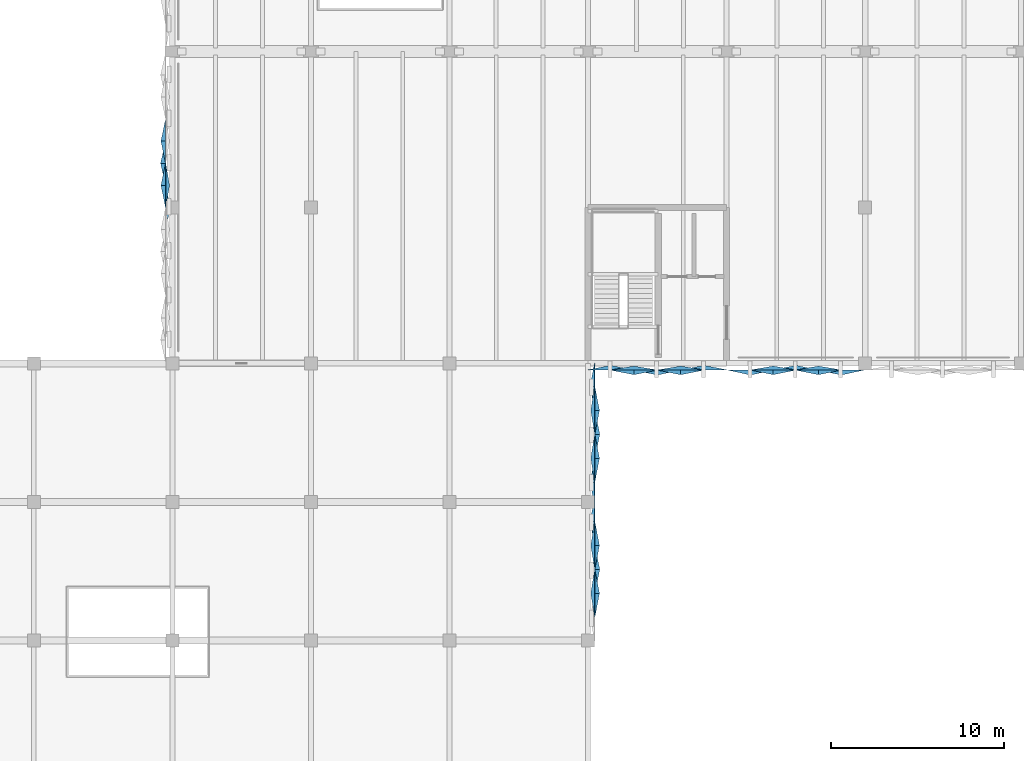
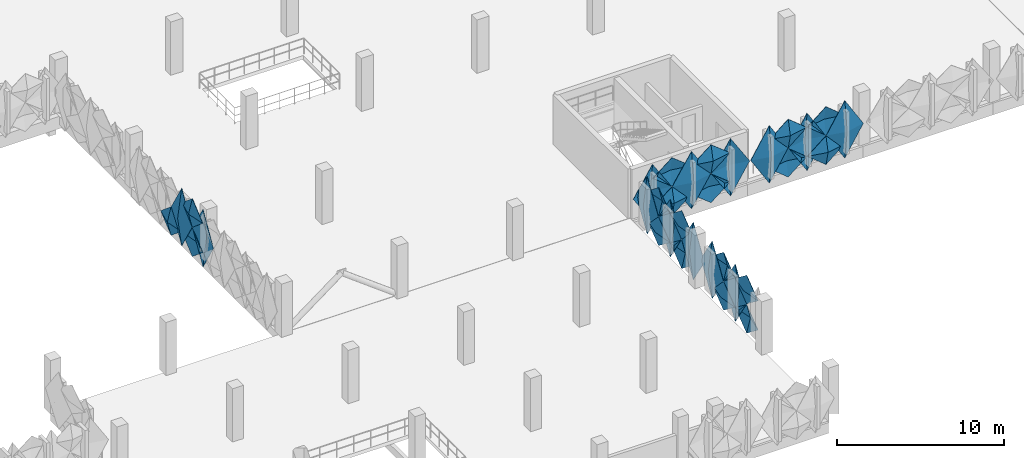
# One storey, part 54 of 83: 32 plates.
"""IFC4 building model written with IfcOpenShell, lengths in metres."""

from ifc_helpers import new_model, si_unit, derived_unit, direction, frame, origin, place, context, subcontext, project, spatial, polygons, material, layer, layer_set, type_object, element, save


model = new_model("IFC4")

# Units and contexts
model_context = context("Model", 3, precision=1e-05, world=origin(), true_north=direction((0.0, 1.0)))
body_context = subcontext(model_context, "Body", "Model", "MODEL_VIEW")
ifc_project = project(units=[si_unit("LENGTHUNIT", "METRE"), si_unit("AREAUNIT", "SQUARE_METRE"), si_unit("VOLUMEUNIT", "CUBIC_METRE"), si_unit("PLANEANGLEUNIT", "RADIAN"), si_unit("MASSUNIT", "GRAM", prefix="KILO"), si_unit("THERMODYNAMICTEMPERATUREUNIT", "KELVIN"), derived_unit("THERMALTRANSMITTANCEUNIT", [(si_unit("POWERUNIT", "WATT"), 1), (si_unit("AREAUNIT", "SQUARE_METRE"), -1), (si_unit("THERMODYNAMICTEMPERATUREUNIT", "KELVIN"), -1)])], contexts=[model_context])

# Site, building, storey
site_placement = place(None, origin())
site = spatial("IfcSite", under=ifc_project, at=site_placement, CompositionType="ELEMENT")
building_placement = place(site_placement, origin())
building = spatial("IfcBuilding", under=site, at=building_placement, Name="Haiyu Intermodal Mobility Hub", CompositionType="ELEMENT")
storey_placement = place(building_placement, frame((0.0, 0.0, 13.39990234375)))
storey = spatial("IfcBuildingStorey", under=building, at=storey_placement, Name="L03", CompositionType="ELEMENT", Elevation=13.39990234375)

# Plates
ifc_material = material(Name="Anodised aluminium 6063-T6", Category="aluminium")
ifc_layer_1 = layer(ifc_material, 0.01806640625)
ifc_layer_set_1 = layer_set([ifc_layer_1], Name="Anodised aluminium 6063-T6")
plate_type_1 = type_object("IfcPlateType", Name="PLT-FC01", PredefinedType="USERDEFINED", material=ifc_layer_set_1)
plate_1_placement = place(storey_placement, origin())
element("IfcPlate", 1, at=plate_1_placement, inside=storey, type_object=plate_type_1, Name="PLT-PYR-0567", ObjectType="FACADE CASSETTE", PredefinedType="USERDEFINED", context=body_context, shape_type="Tessellation", body=[
    polygons([(37.60009765625, 114.27392578125, 1.6201171875), (37.60009765625, 113.02001953125, 2.670166015625), (37.60009765625, 114.27392578125, 3.72021484375), (37.60009765625, 115.529052734375, 2.670166015625), (37.340087890625, 114.27392578125, 2.670166015625), (37.6220703125, 114.27392578125, 1.6201171875), (37.6220703125, 113.02001953125, 2.670166015625), (37.6220703125, 114.27392578125, 3.72021484375), (37.6220703125, 115.529052734375, 2.670166015625), (37.362060546875, 114.27392578125, 2.670166015625)], [[[1, 2, 5]], [[2, 3, 5]], [[3, 4, 5]], [[4, 1, 5]], [[7, 6, 10]], [[8, 7, 10]], [[9, 8, 10]], [[6, 9, 10]], [[1, 6, 7, 2]], [[2, 7, 8, 3]], [[3, 8, 9, 4]], [[4, 9, 6, 1]]], closed=True),
])
plate_2_placement = place(storey_placement, origin())
element("IfcPlate", 2, at=plate_2_placement, inside=storey, type_object=plate_type_1, Name="PLT-PYR-0763", ObjectType="FACADE CASSETTE", PredefinedType="USERDEFINED", context=body_context, shape_type="Tessellation", body=[
    polygons([(72.693115234375, 103.60009765625, 1.6201171875), (73.97998046875, 103.60009765625, 2.670166015625), (72.693115234375, 103.60009765625, 3.72021484375), (71.406982421875, 103.60009765625, 2.670166015625), (72.693115234375, 103.340087890625, 2.670166015625), (72.693115234375, 103.6220703125, 1.6201171875), (73.97998046875, 103.6220703125, 2.670166015625), (72.693115234375, 103.6220703125, 3.72021484375), (71.406982421875, 103.6220703125, 2.670166015625), (72.693115234375, 103.362060546875, 2.670166015625)], [[[1, 2, 5]], [[2, 3, 5]], [[3, 4, 5]], [[4, 1, 5]], [[7, 6, 10]], [[8, 7, 10]], [[9, 8, 10]], [[6, 9, 10]], [[1, 6, 7, 2]], [[2, 7, 8, 3]], [[3, 8, 9, 4]], [[4, 9, 6, 1]]], closed=True),
])
plate_3_placement = place(storey_placement, origin())
element("IfcPlate", 3, at=plate_3_placement, inside=storey, type_object=plate_type_1, Name="PLT-PYR-2066", ObjectType="FACADE CASSETTE", PredefinedType="USERDEFINED", context=body_context, shape_type="Tessellation", body=[
    polygons([(62.39990234375, 92.10009765625, -0.510009765625), (62.39990234375, 93.462890625, 1.60009765625), (62.39990234375, 92.10009765625, 3.710205078125), (62.39990234375, 90.737060546875, 1.60009765625), (62.679931640625, 92.10009765625, 1.60009765625), (62.3779296875, 92.10009765625, -0.510009765625), (62.3779296875, 93.462890625, 1.60009765625), (62.3779296875, 92.10009765625, 3.710205078125), (62.3779296875, 90.737060546875, 1.60009765625), (62.657958984375, 92.10009765625, 1.60009765625)], [[[1, 2, 5]], [[2, 3, 5]], [[3, 4, 5]], [[4, 1, 5]], [[7, 6, 10]], [[8, 7, 10]], [[9, 8, 10]], [[6, 9, 10]], [[1, 6, 7, 2]], [[2, 7, 8, 3]], [[3, 8, 9, 4]], [[4, 9, 6, 1]]], closed=True),
])
plate_4_placement = place(storey_placement, origin())
element("IfcPlate", 4, at=plate_4_placement, inside=storey, type_object=plate_type_1, Name="PLT-PYR-2068", ObjectType="FACADE CASSETTE", PredefinedType="USERDEFINED", context=body_context, shape_type="Tessellation", body=[
    polygons([(62.39990234375, 93.48291015625, 1.6201171875), (62.39990234375, 94.846923828125, 2.670166015625), (62.39990234375, 93.48291015625, 3.72021484375), (62.39990234375, 92.1201171875, 2.670166015625), (62.659912109375, 93.48291015625, 2.670166015625), (62.3779296875, 93.48291015625, 1.6201171875), (62.3779296875, 94.846923828125, 2.670166015625), (62.3779296875, 93.48291015625, 3.72021484375), (62.3779296875, 92.1201171875, 2.670166015625), (62.637939453125, 93.48291015625, 2.670166015625)], [[[1, 2, 5]], [[2, 3, 5]], [[3, 4, 5]], [[4, 1, 5]], [[7, 6, 10]], [[8, 7, 10]], [[9, 8, 10]], [[6, 9, 10]], [[1, 6, 7, 2]], [[2, 7, 8, 3]], [[3, 8, 9, 4]], [[4, 9, 6, 1]]], closed=True),
])
plate_5_placement = place(storey_placement, origin())
element("IfcPlate", 5, at=plate_5_placement, inside=storey, type_object=plate_type_1, Name="PLT-PYR-2073", ObjectType="FACADE CASSETTE", PredefinedType="USERDEFINED", context=body_context, shape_type="Tessellation", body=[
    polygons([(62.39990234375, 99.89990234375, -0.510009765625), (62.39990234375, 101.262939453125, 1.60009765625), (62.39990234375, 99.89990234375, 3.710205078125), (62.39990234375, 98.537109375, 1.60009765625), (62.679931640625, 99.89990234375, 1.60009765625), (62.3779296875, 99.89990234375, -0.510009765625), (62.3779296875, 101.262939453125, 1.60009765625), (62.3779296875, 99.89990234375, 3.710205078125), (62.3779296875, 98.537109375, 1.60009765625), (62.657958984375, 99.89990234375, 1.60009765625)], [[[1, 2, 5]], [[2, 3, 5]], [[3, 4, 5]], [[4, 1, 5]], [[7, 6, 10]], [[8, 7, 10]], [[9, 8, 10]], [[6, 9, 10]], [[1, 6, 7, 2]], [[2, 7, 8, 3]], [[3, 8, 9, 4]], [[4, 9, 6, 1]]], closed=True),
])
plate_6_placement = place(storey_placement, origin())
element("IfcPlate", 6, at=plate_6_placement, inside=storey, type_object=plate_type_1, Name="PLT-PYR-2075", ObjectType="FACADE CASSETTE", PredefinedType="USERDEFINED", context=body_context, shape_type="Tessellation", body=[
    polygons([(62.39990234375, 101.282958984375, 1.6201171875), (62.39990234375, 102.64697265625, 2.670166015625), (62.39990234375, 101.282958984375, 3.72021484375), (62.39990234375, 99.919921875, 2.670166015625), (62.659912109375, 101.282958984375, 2.670166015625), (62.3779296875, 101.282958984375, 1.6201171875), (62.3779296875, 102.64697265625, 2.670166015625), (62.3779296875, 101.282958984375, 3.72021484375), (62.3779296875, 99.919921875, 2.670166015625), (62.637939453125, 101.282958984375, 2.670166015625)], [[[1, 2, 5]], [[2, 3, 5]], [[3, 4, 5]], [[4, 1, 5]], [[7, 6, 10]], [[8, 7, 10]], [[9, 8, 10]], [[6, 9, 10]], [[1, 6, 7, 2]], [[2, 7, 8, 3]], [[3, 8, 9, 4]], [[4, 9, 6, 1]]], closed=True),
])
plate_7_placement = place(storey_placement, origin())
element("IfcPlate", 7, at=plate_7_placement, inside=storey, type_object=plate_type_1, Name="PLT-PYR-2221", ObjectType="FACADE CASSETTE", PredefinedType="USERDEFINED", context=body_context, shape_type="Tessellation", body=[
    polygons([(66.0, 103.60009765625, -0.510009765625), (67.330078125, 103.60009765625, 1.60009765625), (66.0, 103.60009765625, 3.710205078125), (64.669921875, 103.60009765625, 1.60009765625), (66.0, 103.320068359375, 1.60009765625), (66.0, 103.6220703125, -0.510009765625), (67.330078125, 103.6220703125, 1.60009765625), (66.0, 103.6220703125, 3.710205078125), (64.669921875, 103.6220703125, 1.60009765625), (66.0, 103.342041015625, 1.60009765625)], [[[1, 2, 5]], [[2, 3, 5]], [[3, 4, 5]], [[4, 1, 5]], [[7, 6, 10]], [[8, 7, 10]], [[9, 8, 10]], [[6, 9, 10]], [[1, 6, 7, 2]], [[2, 7, 8, 3]], [[3, 8, 9, 4]], [[4, 9, 6, 1]]], closed=True),
])
plate_8_placement = place(storey_placement, origin())
element("IfcPlate", 8, at=plate_8_placement, inside=storey, type_object=plate_type_1, Name="PLT-PYR-2223", ObjectType="FACADE CASSETTE", PredefinedType="USERDEFINED", context=body_context, shape_type="Tessellation", body=[
    polygons([(67.35009765625, 103.60009765625, 1.6201171875), (68.679931640625, 103.60009765625, 2.670166015625), (67.35009765625, 103.60009765625, 3.72021484375), (66.02001953125, 103.60009765625, 2.670166015625), (67.35009765625, 103.340087890625, 2.670166015625), (67.35009765625, 103.6220703125, 1.6201171875), (68.679931640625, 103.6220703125, 2.670166015625), (67.35009765625, 103.6220703125, 3.72021484375), (66.02001953125, 103.6220703125, 2.670166015625), (67.35009765625, 103.362060546875, 2.670166015625)], [[[1, 2, 5]], [[2, 3, 5]], [[3, 4, 5]], [[4, 1, 5]], [[7, 6, 10]], [[8, 7, 10]], [[9, 8, 10]], [[6, 9, 10]], [[1, 6, 7, 2]], [[2, 7, 8, 3]], [[3, 8, 9, 4]], [[4, 9, 6, 1]]], closed=True),
])
ifc_layer_2 = layer(ifc_material, 0.02001953125)
ifc_layer_set_2 = layer_set([ifc_layer_2], Name="Anodised aluminium 6063-T6")
plate_type_2 = type_object("IfcPlateType", Name="PLT-FC02", PredefinedType="USERDEFINED", material=ifc_layer_set_2)
plate_9_placement = place(storey_placement, origin())
element("IfcPlate", 9, at=plate_9_placement, inside=storey, type_object=plate_type_2, Name="PLT-PYR-0764", ObjectType="FACADE CASSETTE", PredefinedType="USERDEFINED", context=body_context, shape_type="Tessellation", body=[
    polygons([(74.0, 103.60009765625, -0.510009765625), (75.287109375, 103.60009765625, 1.60009765625), (74.0, 103.60009765625, 3.710205078125), (72.712890625, 103.60009765625, 1.60009765625), (74.0, 103.860107421875, 1.60009765625), (74.0, 103.6220703125, -0.510009765625), (75.287109375, 103.6220703125, 1.60009765625), (74.0, 103.6220703125, 3.710205078125), (72.712890625, 103.6220703125, 1.60009765625), (74.0, 103.882080078125, 1.60009765625)], [[[1, 2, 5]], [[2, 3, 5]], [[3, 4, 5]], [[4, 1, 5]], [[7, 6, 10]], [[8, 7, 10]], [[9, 8, 10]], [[6, 9, 10]], [[1, 6, 7, 2]], [[2, 7, 8, 3]], [[3, 8, 9, 4]], [[4, 9, 6, 1]]], closed=True),
])
plate_10_placement = place(storey_placement, origin())
element("IfcPlate", 10, at=plate_10_placement, inside=storey, type_object=plate_type_2, Name="PLT-PYR-0766", ObjectType="FACADE CASSETTE", PredefinedType="USERDEFINED", context=body_context, shape_type="Tessellation", body=[
    polygons([(75.306884765625, 103.60009765625, 1.6201171875), (76.593017578125, 103.60009765625, 2.670166015625), (75.306884765625, 103.60009765625, 3.72021484375), (74.02001953125, 103.60009765625, 2.670166015625), (75.306884765625, 103.820068359375, 2.670166015625), (75.306884765625, 103.6220703125, 1.6201171875), (76.593017578125, 103.6220703125, 2.670166015625), (75.306884765625, 103.6220703125, 3.72021484375), (74.02001953125, 103.6220703125, 2.670166015625), (75.306884765625, 103.842041015625, 2.670166015625)], [[[1, 2, 5]], [[2, 3, 5]], [[3, 4, 5]], [[4, 1, 5]], [[7, 6, 10]], [[8, 7, 10]], [[9, 8, 10]], [[6, 9, 10]], [[1, 6, 7, 2]], [[2, 7, 8, 3]], [[3, 8, 9, 4]], [[4, 9, 6, 1]]], closed=True),
])
plate_11_placement = place(storey_placement, origin())
element("IfcPlate", 11, at=plate_11_placement, inside=storey, type_object=plate_type_2, Name="PLT-PYR-2065", ObjectType="FACADE CASSETTE", PredefinedType="USERDEFINED", context=body_context, shape_type="Tessellation", body=[
    polygons([(62.39990234375, 90.717041015625, 1.6201171875), (62.39990234375, 92.080078125, 2.670166015625), (62.39990234375, 90.717041015625, 3.72021484375), (62.39990234375, 89.35302734375, 2.670166015625), (62.179931640625, 90.717041015625, 2.670166015625), (62.3779296875, 90.717041015625, 1.6201171875), (62.3779296875, 92.080078125, 2.670166015625), (62.3779296875, 90.717041015625, 3.72021484375), (62.3779296875, 89.35302734375, 2.670166015625), (62.157958984375, 90.717041015625, 2.670166015625)], [[[1, 2, 5]], [[2, 3, 5]], [[3, 4, 5]], [[4, 1, 5]], [[7, 6, 10]], [[8, 7, 10]], [[9, 8, 10]], [[6, 9, 10]], [[1, 6, 7, 2]], [[2, 7, 8, 3]], [[3, 8, 9, 4]], [[4, 9, 6, 1]]], closed=True),
])
plate_12_placement = place(storey_placement, origin())
element("IfcPlate", 12, at=plate_12_placement, inside=storey, type_object=plate_type_2, Name="PLT-PYR-2072", ObjectType="FACADE CASSETTE", PredefinedType="USERDEFINED", context=body_context, shape_type="Tessellation", body=[
    polygons([(62.39990234375, 98.51708984375, 1.6201171875), (62.39990234375, 99.8798828125, 2.670166015625), (62.39990234375, 98.51708984375, 3.72021484375), (62.39990234375, 97.153076171875, 2.670166015625), (62.179931640625, 98.51708984375, 2.670166015625), (62.3779296875, 98.51708984375, 1.6201171875), (62.3779296875, 99.8798828125, 2.670166015625), (62.3779296875, 98.51708984375, 3.72021484375), (62.3779296875, 97.153076171875, 2.670166015625), (62.157958984375, 98.51708984375, 2.670166015625)], [[[1, 2, 5]], [[2, 3, 5]], [[3, 4, 5]], [[4, 1, 5]], [[7, 6, 10]], [[8, 7, 10]], [[9, 8, 10]], [[6, 9, 10]], [[1, 6, 7, 2]], [[2, 7, 8, 3]], [[3, 8, 9, 4]], [[4, 9, 6, 1]]], closed=True),
])
plate_13_placement = place(storey_placement, origin())
element("IfcPlate", 13, at=plate_13_placement, inside=storey, type_object=plate_type_2, Name="PLT-PYR-2220", ObjectType="FACADE CASSETTE", PredefinedType="USERDEFINED", context=body_context, shape_type="Tessellation", body=[
    polygons([(64.64990234375, 103.60009765625, 1.6201171875), (65.97998046875, 103.60009765625, 2.670166015625), (64.64990234375, 103.60009765625, 3.72021484375), (63.320068359375, 103.60009765625, 2.670166015625), (64.64990234375, 103.820068359375, 2.670166015625), (64.64990234375, 103.6220703125, 1.6201171875), (65.97998046875, 103.6220703125, 2.670166015625), (64.64990234375, 103.6220703125, 3.72021484375), (63.320068359375, 103.6220703125, 2.670166015625), (64.64990234375, 103.842041015625, 2.670166015625)], [[[1, 2, 5]], [[2, 3, 5]], [[3, 4, 5]], [[4, 1, 5]], [[7, 6, 10]], [[8, 7, 10]], [[9, 8, 10]], [[6, 9, 10]], [[1, 6, 7, 2]], [[2, 7, 8, 3]], [[3, 8, 9, 4]], [[4, 9, 6, 1]]], closed=True),
])
ifc_layer_3 = layer(ifc_material, 0.01806640625)
ifc_layer_set_3 = layer_set([ifc_layer_3], Name="Anodised aluminium 6063-T6")
plate_type_3 = type_object("IfcPlateType", Name="PLT-FC03", PredefinedType="USERDEFINED", material=ifc_layer_set_3)
plate_14_placement = place(storey_placement, origin())
element("IfcPlate", 14, at=plate_14_placement, inside=storey, type_object=plate_type_3, Name="PLT-PYR-0565", ObjectType="FACADE CASSETTE", PredefinedType="USERDEFINED", context=body_context, shape_type="Tessellation", body=[
    polygons([(37.60009765625, 115.549072265625, -0.510009765625), (37.60009765625, 114.2939453125, 1.60009765625), (37.60009765625, 115.549072265625, 3.710205078125), (37.60009765625, 116.802978515625, 1.60009765625), (37.320068359375, 115.549072265625, 1.60009765625), (37.6220703125, 115.549072265625, -0.510009765625), (37.6220703125, 114.2939453125, 1.60009765625), (37.6220703125, 115.549072265625, 3.710205078125), (37.6220703125, 116.802978515625, 1.60009765625), (37.342041015625, 115.549072265625, 1.60009765625)], [[[1, 2, 5]], [[2, 3, 5]], [[3, 4, 5]], [[4, 1, 5]], [[7, 6, 10]], [[8, 7, 10]], [[9, 8, 10]], [[6, 9, 10]], [[1, 6, 7, 2]], [[2, 7, 8, 3]], [[3, 8, 9, 4]], [[4, 9, 6, 1]]], closed=True),
])
plate_15_placement = place(storey_placement, origin())
element("IfcPlate", 15, at=plate_15_placement, inside=storey, type_object=plate_type_3, Name="PLT-PYR-0767", ObjectType="FACADE CASSETTE", PredefinedType="USERDEFINED", context=body_context, shape_type="Tessellation", body=[
    polygons([(76.613037109375, 103.60009765625, -0.510009765625), (77.89990234375, 103.60009765625, 1.60009765625), (76.613037109375, 103.60009765625, 3.710205078125), (75.326904296875, 103.60009765625, 1.60009765625), (76.613037109375, 103.320068359375, 1.60009765625), (76.613037109375, 103.6220703125, -0.510009765625), (77.89990234375, 103.6220703125, 1.60009765625), (76.613037109375, 103.6220703125, 3.710205078125), (75.326904296875, 103.6220703125, 1.60009765625), (76.613037109375, 103.342041015625, 1.60009765625)], [[[1, 2, 5]], [[2, 3, 5]], [[3, 4, 5]], [[4, 1, 5]], [[7, 6, 10]], [[8, 7, 10]], [[9, 8, 10]], [[6, 9, 10]], [[1, 6, 7, 2]], [[2, 7, 8, 3]], [[3, 8, 9, 4]], [[4, 9, 6, 1]]], closed=True),
])
ifc_layer_4 = layer(ifc_material, 0.02001953125)
ifc_layer_set_4 = layer_set([ifc_layer_4], Name="Anodised aluminium 6063-T6")
plate_type_4 = type_object("IfcPlateType", Name="PLT-FC04", PredefinedType="USERDEFINED", material=ifc_layer_set_4)
plate_16_placement = place(storey_placement, origin())
element("IfcPlate", 16, at=plate_16_placement, inside=storey, type_object=plate_type_4, Name="PLT-PYR-2069", ObjectType="FACADE CASSETTE", PredefinedType="USERDEFINED", context=body_context, shape_type="Tessellation", body=[
    polygons([(62.39990234375, 94.866943359375, -0.510009765625), (62.39990234375, 96.22998046875, 1.60009765625), (62.39990234375, 94.866943359375, 3.710205078125), (62.39990234375, 93.5029296875, 1.60009765625), (62.139892578125, 94.866943359375, 1.60009765625), (62.3779296875, 94.866943359375, -0.510009765625), (62.3779296875, 96.22998046875, 1.60009765625), (62.3779296875, 94.866943359375, 3.710205078125), (62.3779296875, 93.5029296875, 1.60009765625), (62.117919921875, 94.866943359375, 1.60009765625)], [[[1, 2, 5]], [[2, 3, 5]], [[3, 4, 5]], [[4, 1, 5]], [[7, 6, 10]], [[8, 7, 10]], [[9, 8, 10]], [[6, 9, 10]], [[1, 6, 7, 2]], [[2, 7, 8, 3]], [[3, 8, 9, 4]], [[4, 9, 6, 1]]], closed=True),
])
plate_17_placement = place(storey_placement, origin())
element("IfcPlate", 17, at=plate_17_placement, inside=storey, type_object=plate_type_4, Name="PLT-PYR-2076", ObjectType="FACADE CASSETTE", PredefinedType="USERDEFINED", context=body_context, shape_type="Tessellation", body=[
    polygons([(62.39990234375, 102.6669921875, -0.510009765625), (62.39990234375, 104.030029296875, 1.60009765625), (62.39990234375, 102.6669921875, 3.710205078125), (62.39990234375, 101.302978515625, 1.60009765625), (62.139892578125, 102.6669921875, 1.60009765625), (62.3779296875, 102.6669921875, -0.510009765625), (62.3779296875, 104.030029296875, 1.60009765625), (62.3779296875, 102.6669921875, 3.710205078125), (62.3779296875, 101.302978515625, 1.60009765625), (62.117919921875, 102.6669921875, 1.60009765625)], [[[1, 2, 5]], [[2, 3, 5]], [[3, 4, 5]], [[4, 1, 5]], [[7, 6, 10]], [[8, 7, 10]], [[9, 8, 10]], [[6, 9, 10]], [[1, 6, 7, 2]], [[2, 7, 8, 3]], [[3, 8, 9, 4]], [[4, 9, 6, 1]]], closed=True),
])
plate_18_placement = place(storey_placement, origin())
element("IfcPlate", 18, at=plate_18_placement, inside=storey, type_object=plate_type_4, Name="PLT-PYR-2224", ObjectType="FACADE CASSETTE", PredefinedType="USERDEFINED", context=body_context, shape_type="Tessellation", body=[
    polygons([(68.699951171875, 103.60009765625, -0.510009765625), (70.030029296875, 103.60009765625, 1.60009765625), (68.699951171875, 103.60009765625, 3.710205078125), (67.3701171875, 103.60009765625, 1.60009765625), (68.699951171875, 103.860107421875, 1.60009765625), (68.699951171875, 103.6220703125, -0.510009765625), (70.030029296875, 103.6220703125, 1.60009765625), (68.699951171875, 103.6220703125, 3.710205078125), (67.3701171875, 103.6220703125, 1.60009765625), (68.699951171875, 103.882080078125, 1.60009765625)], [[[1, 2, 5]], [[2, 3, 5]], [[3, 4, 5]], [[4, 1, 5]], [[7, 6, 10]], [[8, 7, 10]], [[9, 8, 10]], [[6, 9, 10]], [[1, 6, 7, 2]], [[2, 7, 8, 3]], [[3, 8, 9, 4]], [[4, 9, 6, 1]]], closed=True),
])
ifc_layer_5 = layer(ifc_material, 0.02001953125)
ifc_layer_set_5 = layer_set([ifc_layer_5], Name="Anodised aluminium 6063-T6")
plate_type_5 = type_object("IfcPlateType", Name="PLT-FC06", PredefinedType="USERDEFINED", material=ifc_layer_set_5)
plate_19_placement = place(storey_placement, origin())
element("IfcPlate", 19, at=plate_19_placement, inside=storey, type_object=plate_type_5, Name="PLT-PYR-0568", ObjectType="FACADE CASSETTE", PredefinedType="USERDEFINED", context=body_context, shape_type="Tessellation", body=[
    polygons([(37.60009765625, 113.0, -0.510009765625), (37.60009765625, 111.74609375, 1.60009765625), (37.60009765625, 113.0, 3.710205078125), (37.60009765625, 114.25390625, 1.60009765625), (37.860107421875, 113.0, 1.60009765625), (37.6220703125, 113.0, -0.510009765625), (37.6220703125, 111.74609375, 1.60009765625), (37.6220703125, 113.0, 3.710205078125), (37.6220703125, 114.25390625, 1.60009765625), (37.882080078125, 113.0, 1.60009765625)], [[[1, 2, 5]], [[2, 3, 5]], [[3, 4, 5]], [[4, 1, 5]], [[7, 6, 10]], [[8, 7, 10]], [[9, 8, 10]], [[6, 9, 10]], [[1, 6, 7, 2]], [[2, 7, 8, 3]], [[3, 8, 9, 4]], [[4, 9, 6, 1]]], closed=True),
])
ifc_layer_6 = layer(ifc_material, 0.02197265625)
ifc_layer_set_6 = layer_set([ifc_layer_6], Name="Anodised aluminium 6063-T6")
plate_type_6 = type_object("IfcPlateType", Name="PLT-FC07", PredefinedType="USERDEFINED", material=ifc_layer_set_6)
plate_20_placement = place(storey_placement, origin())
element("IfcPlate", 20, at=plate_20_placement, inside=storey, type_object=plate_type_6, Name="PLT-PYR-0563", ObjectType="FACADE CASSETTE", PredefinedType="USERDEFINED", context=body_context, shape_type="Tessellation", body=[
    polygons([(37.60009765625, 116.822998046875, -0.52001953125), (37.60009765625, 115.569091796875, 0.530029296875), (37.60009765625, 116.822998046875, 1.580078125), (37.60009765625, 118.076904296875, 0.530029296875), (37.340087890625, 116.822998046875, 0.530029296875), (37.6220703125, 116.822998046875, -0.52001953125), (37.6220703125, 115.569091796875, 0.530029296875), (37.6220703125, 116.822998046875, 1.580078125), (37.6220703125, 118.076904296875, 0.530029296875), (37.362060546875, 116.822998046875, 0.530029296875)], [[[1, 2, 5]], [[2, 3, 5]], [[3, 4, 5]], [[4, 1, 5]], [[7, 6, 10]], [[8, 7, 10]], [[9, 8, 10]], [[6, 9, 10]], [[1, 6, 7, 2]], [[2, 7, 8, 3]], [[3, 8, 9, 4]], [[4, 9, 6, 1]]], closed=True),
])
plate_21_placement = place(storey_placement, origin())
element("IfcPlate", 21, at=plate_21_placement, inside=storey, type_object=plate_type_6, Name="PLT-PYR-0761", ObjectType="FACADE CASSETTE", PredefinedType="USERDEFINED", context=body_context, shape_type="Tessellation", body=[
    polygons([(71.386962890625, 103.60009765625, -0.510009765625), (72.673095703125, 103.60009765625, 1.60009765625), (71.386962890625, 103.60009765625, 3.710205078125), (70.10009765625, 103.60009765625, 1.60009765625), (71.386962890625, 103.320068359375, 1.60009765625), (71.386962890625, 103.6220703125, -0.510009765625), (72.673095703125, 103.6220703125, 1.60009765625), (71.386962890625, 103.6220703125, 3.710205078125), (70.10009765625, 103.6220703125, 1.60009765625), (71.386962890625, 103.342041015625, 1.60009765625)], [[[1, 2, 5]], [[2, 3, 5]], [[3, 4, 5]], [[4, 1, 5]], [[7, 6, 10]], [[8, 7, 10]], [[9, 8, 10]], [[6, 9, 10]], [[1, 6, 7, 2]], [[2, 7, 8, 3]], [[3, 8, 9, 4]], [[4, 9, 6, 1]]], closed=True),
])
plate_22_placement = place(storey_placement, origin())
element("IfcPlate", 22, at=plate_22_placement, inside=storey, type_object=plate_type_6, Name="PLT-PYR-0765", ObjectType="FACADE CASSETTE", PredefinedType="USERDEFINED", context=body_context, shape_type="Tessellation", body=[
    polygons([(75.306884765625, 103.60009765625, -0.52001953125), (76.593017578125, 103.60009765625, 0.530029296875), (75.306884765625, 103.60009765625, 1.580078125), (74.02001953125, 103.60009765625, 0.530029296875), (75.306884765625, 103.340087890625, 0.530029296875), (75.306884765625, 103.6220703125, -0.52001953125), (76.593017578125, 103.6220703125, 0.530029296875), (75.306884765625, 103.6220703125, 1.580078125), (74.02001953125, 103.6220703125, 0.530029296875), (75.306884765625, 103.362060546875, 0.530029296875)], [[[1, 2, 5]], [[2, 3, 5]], [[3, 4, 5]], [[4, 1, 5]], [[7, 6, 10]], [[8, 7, 10]], [[9, 8, 10]], [[6, 9, 10]], [[1, 6, 7, 2]], [[2, 7, 8, 3]], [[3, 8, 9, 4]], [[4, 9, 6, 1]]], closed=True),
])
plate_23_placement = place(storey_placement, origin())
element("IfcPlate", 23, at=plate_23_placement, inside=storey, type_object=plate_type_6, Name="PLT-PYR-2064", ObjectType="FACADE CASSETTE", PredefinedType="USERDEFINED", context=body_context, shape_type="Tessellation", body=[
    polygons([(62.39990234375, 90.717041015625, -0.52001953125), (62.39990234375, 92.080078125, 0.530029296875), (62.39990234375, 90.717041015625, 1.580078125), (62.39990234375, 89.35302734375, 0.530029296875), (62.659912109375, 90.717041015625, 0.530029296875), (62.3779296875, 90.717041015625, -0.52001953125), (62.3779296875, 92.080078125, 0.530029296875), (62.3779296875, 90.717041015625, 1.580078125), (62.3779296875, 89.35302734375, 0.530029296875), (62.637939453125, 90.717041015625, 0.530029296875)], [[[1, 2, 5]], [[2, 3, 5]], [[3, 4, 5]], [[4, 1, 5]], [[7, 6, 10]], [[8, 7, 10]], [[9, 8, 10]], [[6, 9, 10]], [[1, 6, 7, 2]], [[2, 7, 8, 3]], [[3, 8, 9, 4]], [[4, 9, 6, 1]]], closed=True),
])
plate_24_placement = place(storey_placement, origin())
element("IfcPlate", 24, at=plate_24_placement, inside=storey, type_object=plate_type_6, Name="PLT-PYR-2071", ObjectType="FACADE CASSETTE", PredefinedType="USERDEFINED", context=body_context, shape_type="Tessellation", body=[
    polygons([(62.39990234375, 98.51708984375, -0.52001953125), (62.39990234375, 99.8798828125, 0.530029296875), (62.39990234375, 98.51708984375, 1.580078125), (62.39990234375, 97.153076171875, 0.530029296875), (62.659912109375, 98.51708984375, 0.530029296875), (62.3779296875, 98.51708984375, -0.52001953125), (62.3779296875, 99.8798828125, 0.530029296875), (62.3779296875, 98.51708984375, 1.580078125), (62.3779296875, 97.153076171875, 0.530029296875), (62.637939453125, 98.51708984375, 0.530029296875)], [[[1, 2, 5]], [[2, 3, 5]], [[3, 4, 5]], [[4, 1, 5]], [[7, 6, 10]], [[8, 7, 10]], [[9, 8, 10]], [[6, 9, 10]], [[1, 6, 7, 2]], [[2, 7, 8, 3]], [[3, 8, 9, 4]], [[4, 9, 6, 1]]], closed=True),
])
plate_25_placement = place(storey_placement, origin())
element("IfcPlate", 25, at=plate_25_placement, inside=storey, type_object=plate_type_6, Name="PLT-PYR-2219", ObjectType="FACADE CASSETTE", PredefinedType="USERDEFINED", context=body_context, shape_type="Tessellation", body=[
    polygons([(64.64990234375, 103.60009765625, -0.52001953125), (65.97998046875, 103.60009765625, 0.530029296875), (64.64990234375, 103.60009765625, 1.580078125), (63.320068359375, 103.60009765625, 0.530029296875), (64.64990234375, 103.340087890625, 0.530029296875), (64.64990234375, 103.6220703125, -0.52001953125), (65.97998046875, 103.6220703125, 0.530029296875), (64.64990234375, 103.6220703125, 1.580078125), (63.320068359375, 103.6220703125, 0.530029296875), (64.64990234375, 103.362060546875, 0.530029296875)], [[[1, 2, 5]], [[2, 3, 5]], [[3, 4, 5]], [[4, 1, 5]], [[7, 6, 10]], [[8, 7, 10]], [[9, 8, 10]], [[6, 9, 10]], [[1, 6, 7, 2]], [[2, 7, 8, 3]], [[3, 8, 9, 4]], [[4, 9, 6, 1]]], closed=True),
])
ifc_layer_7 = layer(ifc_material, 0.02392578125)
ifc_layer_set_7 = layer_set([ifc_layer_7], Name="Anodised aluminium 6063-T6")
plate_type_7 = type_object("IfcPlateType", Name="PLT-FC08", PredefinedType="USERDEFINED", material=ifc_layer_set_7)
plate_26_placement = place(storey_placement, origin())
element("IfcPlate", 26, at=plate_26_placement, inside=storey, type_object=plate_type_7, Name="PLT-PYR-0566", ObjectType="FACADE CASSETTE", PredefinedType="USERDEFINED", context=body_context, shape_type="Tessellation", body=[
    polygons([(37.60009765625, 114.27392578125, -0.52001953125), (37.60009765625, 113.02001953125, 0.530029296875), (37.60009765625, 114.27392578125, 1.580078125), (37.60009765625, 115.529052734375, 0.530029296875), (37.820068359375, 114.27392578125, 0.530029296875), (37.6220703125, 114.27392578125, -0.52001953125), (37.6220703125, 113.02001953125, 0.530029296875), (37.6220703125, 114.27392578125, 1.580078125), (37.6220703125, 115.529052734375, 0.530029296875), (37.842041015625, 114.27392578125, 0.530029296875)], [[[1, 2, 5]], [[2, 3, 5]], [[3, 4, 5]], [[4, 1, 5]], [[7, 6, 10]], [[8, 7, 10]], [[9, 8, 10]], [[6, 9, 10]], [[1, 6, 7, 2]], [[2, 7, 8, 3]], [[3, 8, 9, 4]], [[4, 9, 6, 1]]], closed=True),
])
plate_27_placement = place(storey_placement, origin())
element("IfcPlate", 27, at=plate_27_placement, inside=storey, type_object=plate_type_7, Name="PLT-PYR-0762", ObjectType="FACADE CASSETTE", PredefinedType="USERDEFINED", context=body_context, shape_type="Tessellation", body=[
    polygons([(72.693115234375, 103.60009765625, -0.52001953125), (73.97998046875, 103.60009765625, 0.530029296875), (72.693115234375, 103.60009765625, 1.580078125), (71.406982421875, 103.60009765625, 0.530029296875), (72.693115234375, 103.820068359375, 0.530029296875), (72.693115234375, 103.6220703125, -0.52001953125), (73.97998046875, 103.6220703125, 0.530029296875), (72.693115234375, 103.6220703125, 1.580078125), (71.406982421875, 103.6220703125, 0.530029296875), (72.693115234375, 103.842041015625, 0.530029296875)], [[[1, 2, 5]], [[2, 3, 5]], [[3, 4, 5]], [[4, 1, 5]], [[7, 6, 10]], [[8, 7, 10]], [[9, 8, 10]], [[6, 9, 10]], [[1, 6, 7, 2]], [[2, 7, 8, 3]], [[3, 8, 9, 4]], [[4, 9, 6, 1]]], closed=True),
])
plate_28_placement = place(storey_placement, origin())
element("IfcPlate", 28, at=plate_28_placement, inside=storey, type_object=plate_type_7, Name="PLT-PYR-2067", ObjectType="FACADE CASSETTE", PredefinedType="USERDEFINED", context=body_context, shape_type="Tessellation", body=[
    polygons([(62.39990234375, 93.48291015625, -0.52001953125), (62.39990234375, 94.846923828125, 0.530029296875), (62.39990234375, 93.48291015625, 1.580078125), (62.39990234375, 92.1201171875, 0.530029296875), (62.179931640625, 93.48291015625, 0.530029296875), (62.3779296875, 93.48291015625, -0.52001953125), (62.3779296875, 94.846923828125, 0.530029296875), (62.3779296875, 93.48291015625, 1.580078125), (62.3779296875, 92.1201171875, 0.530029296875), (62.157958984375, 93.48291015625, 0.530029296875)], [[[1, 2, 5]], [[2, 3, 5]], [[3, 4, 5]], [[4, 1, 5]], [[7, 6, 10]], [[8, 7, 10]], [[9, 8, 10]], [[6, 9, 10]], [[1, 6, 7, 2]], [[2, 7, 8, 3]], [[3, 8, 9, 4]], [[4, 9, 6, 1]]], closed=True),
])
plate_29_placement = place(storey_placement, origin())
element("IfcPlate", 29, at=plate_29_placement, inside=storey, type_object=plate_type_7, Name="PLT-PYR-2070", ObjectType="FACADE CASSETTE", PredefinedType="USERDEFINED", context=body_context, shape_type="Tessellation", body=[
    polygons([(62.39990234375, 97.133056640625, -0.510009765625), (62.39990234375, 98.4970703125, 1.60009765625), (62.39990234375, 97.133056640625, 3.710205078125), (62.39990234375, 95.77001953125, 1.60009765625), (62.139892578125, 97.133056640625, 1.60009765625), (62.3779296875, 97.133056640625, -0.510009765625), (62.3779296875, 98.4970703125, 1.60009765625), (62.3779296875, 97.133056640625, 3.710205078125), (62.3779296875, 95.77001953125, 1.60009765625), (62.117919921875, 97.133056640625, 1.60009765625)], [[[1, 2, 5]], [[2, 3, 5]], [[3, 4, 5]], [[4, 1, 5]], [[7, 6, 10]], [[8, 7, 10]], [[9, 8, 10]], [[6, 9, 10]], [[1, 6, 7, 2]], [[2, 7, 8, 3]], [[3, 8, 9, 4]], [[4, 9, 6, 1]]], closed=True),
])
plate_30_placement = place(storey_placement, origin())
element("IfcPlate", 30, at=plate_30_placement, inside=storey, type_object=plate_type_7, Name="PLT-PYR-2074", ObjectType="FACADE CASSETTE", PredefinedType="USERDEFINED", context=body_context, shape_type="Tessellation", body=[
    polygons([(62.39990234375, 101.282958984375, -0.52001953125), (62.39990234375, 102.64697265625, 0.530029296875), (62.39990234375, 101.282958984375, 1.580078125), (62.39990234375, 99.919921875, 0.530029296875), (62.179931640625, 101.282958984375, 0.530029296875), (62.3779296875, 101.282958984375, -0.52001953125), (62.3779296875, 102.64697265625, 0.530029296875), (62.3779296875, 101.282958984375, 1.580078125), (62.3779296875, 99.919921875, 0.530029296875), (62.157958984375, 101.282958984375, 0.530029296875)], [[[1, 2, 5]], [[2, 3, 5]], [[3, 4, 5]], [[4, 1, 5]], [[7, 6, 10]], [[8, 7, 10]], [[9, 8, 10]], [[6, 9, 10]], [[1, 6, 7, 2]], [[2, 7, 8, 3]], [[3, 8, 9, 4]], [[4, 9, 6, 1]]], closed=True),
])
plate_31_placement = place(storey_placement, origin())
element("IfcPlate", 31, at=plate_31_placement, inside=storey, type_object=plate_type_7, Name="PLT-PYR-2218", ObjectType="FACADE CASSETTE", PredefinedType="USERDEFINED", context=body_context, shape_type="Tessellation", body=[
    polygons([(63.300048828125, 103.60009765625, -0.510009765625), (64.6298828125, 103.60009765625, 1.60009765625), (63.300048828125, 103.60009765625, 3.710205078125), (61.969970703125, 103.60009765625, 1.60009765625), (63.300048828125, 103.860107421875, 1.60009765625), (63.300048828125, 103.6220703125, -0.510009765625), (64.6298828125, 103.6220703125, 1.60009765625), (63.300048828125, 103.6220703125, 3.710205078125), (61.969970703125, 103.6220703125, 1.60009765625), (63.300048828125, 103.882080078125, 1.60009765625)], [[[1, 2, 5]], [[2, 3, 5]], [[3, 4, 5]], [[4, 1, 5]], [[7, 6, 10]], [[8, 7, 10]], [[9, 8, 10]], [[6, 9, 10]], [[1, 6, 7, 2]], [[2, 7, 8, 3]], [[3, 8, 9, 4]], [[4, 9, 6, 1]]], closed=True),
])
plate_32_placement = place(storey_placement, origin())
element("IfcPlate", 32, at=plate_32_placement, inside=storey, type_object=plate_type_7, Name="PLT-PYR-2222", ObjectType="FACADE CASSETTE", PredefinedType="USERDEFINED", context=body_context, shape_type="Tessellation", body=[
    polygons([(67.35009765625, 103.60009765625, -0.52001953125), (68.679931640625, 103.60009765625, 0.530029296875), (67.35009765625, 103.60009765625, 1.580078125), (66.02001953125, 103.60009765625, 0.530029296875), (67.35009765625, 103.820068359375, 0.530029296875), (67.35009765625, 103.6220703125, -0.52001953125), (68.679931640625, 103.6220703125, 0.530029296875), (67.35009765625, 103.6220703125, 1.580078125), (66.02001953125, 103.6220703125, 0.530029296875), (67.35009765625, 103.842041015625, 0.530029296875)], [[[1, 2, 5]], [[2, 3, 5]], [[3, 4, 5]], [[4, 1, 5]], [[7, 6, 10]], [[8, 7, 10]], [[9, 8, 10]], [[6, 9, 10]], [[1, 6, 7, 2]], [[2, 7, 8, 3]], [[3, 8, 9, 4]], [[4, 9, 6, 1]]], closed=True),
])

save(model, "model.ifc")
